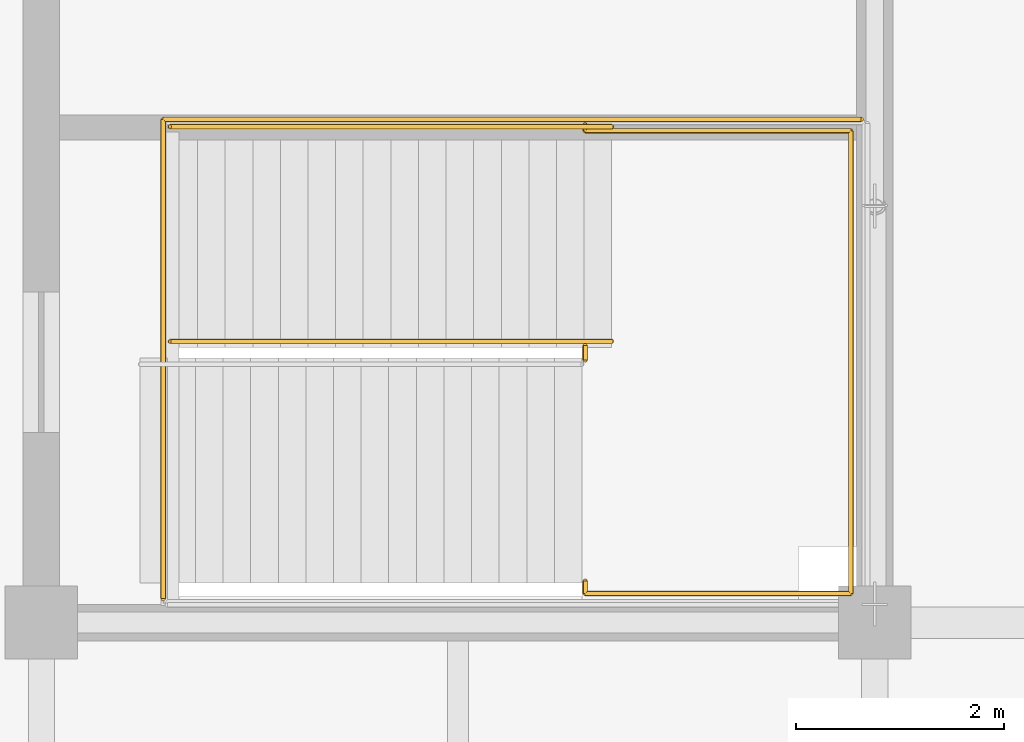
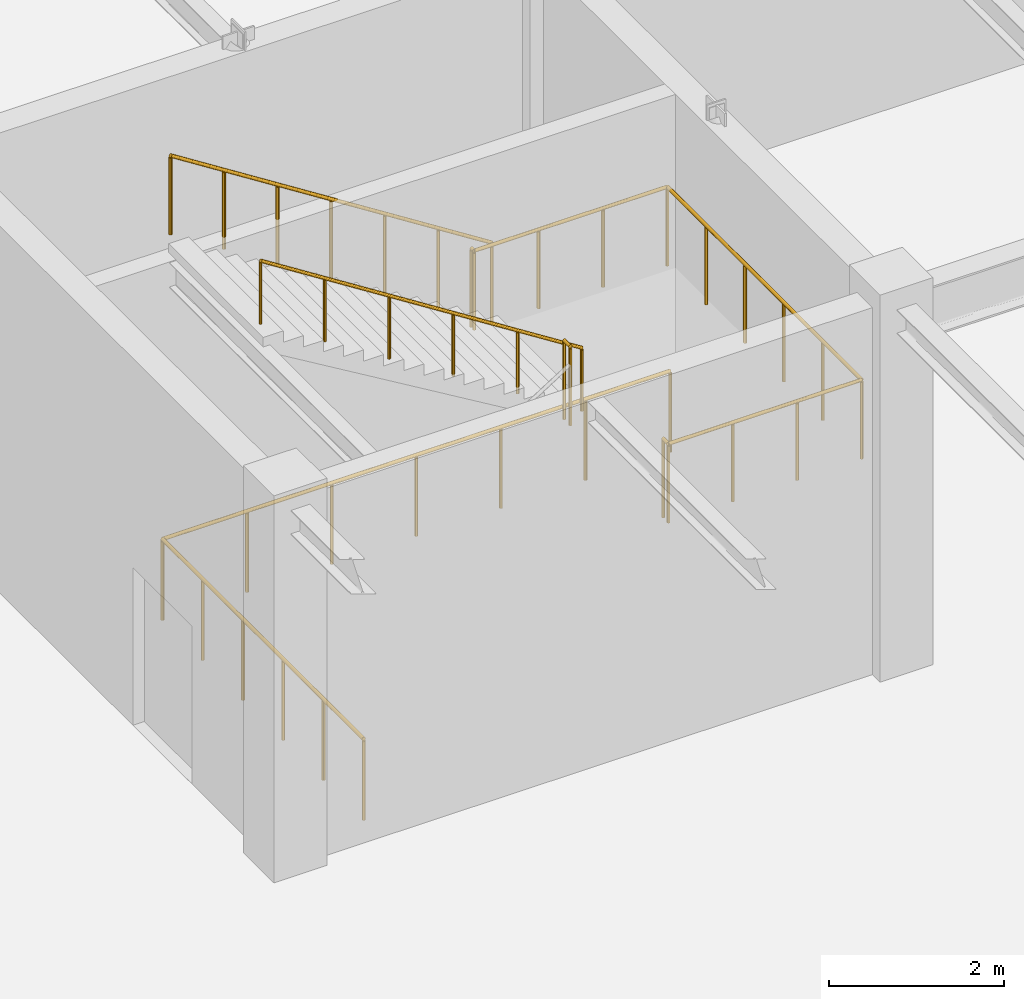
# One storey, part 108 of 108: 5 railings.
"""IFC4 building model written with IfcOpenShell, lengths in metres."""

from ifc_helpers import new_model, si_unit, direction, frame, origin, origin_2d, place, context, subcontext, project, spatial, circle, extrude, material, type_object, element, save


model = new_model("IFC4")

# Units and contexts
model_context = context("Model", 3, precision=1e-05, world=origin(), true_north=direction((0.0, 1.0)))
body_context = subcontext(model_context, "Body", "Model", "MODEL_VIEW")
ifc_project = project(units=[si_unit("LENGTHUNIT", "METRE"), si_unit("AREAUNIT", "SQUARE_METRE"), si_unit("VOLUMEUNIT", "CUBIC_METRE"), si_unit("PLANEANGLEUNIT", "RADIAN"), si_unit("MASSUNIT", "GRAM", prefix="KILO")], contexts=[model_context])

# Site, building, storey
site_placement = place(None, origin())
site = spatial("IfcSite", under=ifc_project, at=site_placement, CompositionType="ELEMENT")
building_placement = place(site_placement, origin())
building = spatial("IfcBuilding", under=site, at=building_placement, Name="Zhaolan Boulevard Law Courts", CompositionType="ELEMENT")
storey_placement = place(building_placement, frame((0.0, 0.0, 10.800048828125)))
storey = spatial("IfcBuildingStorey", under=building, at=storey_placement, Name="L02", CompositionType="ELEMENT", Elevation=10.800048828125)

# Railings
ifc_material_1 = material(Name="Powder-coated steel and tempered laminated glass", Category="steel")
railing_type_1 = type_object("IfcRailingType", Name="INTERIOR GUARDRAIL 1150", PredefinedType="GUARDRAIL", material=ifc_material_1)
railing_1_placement = place(storey_placement, frame((147.8701171875, 74.830078125, 0.0)))
element("IfcRailing", 1, at=railing_1_placement, inside=storey, type_object=railing_type_1, Name="Atrium Gallery Guardrail VG-2-V2-3B", PredefinedType="GUARDRAIL", context=body_context, shape_type="SweptSolid", body=[
    extrude(circle(Radius=0.02490234375, at=origin_2d()), frame((0.0, 0.0, 1.125), z_axis=(-1.0, 0.0, 0.0), x_axis=(0.0, -1.0, 0.0)), (0.0, 0.0, 1.0), 6.7001953125),
    extrude(circle(Radius=0.02490234375, at=origin_2d()), frame((-6.7001953125, 0.0, 1.125), z_axis=(0.0, -1.0, 0.0), x_axis=(1.0, 0.0, 0.0)), (0.0, 0.0, 1.0), 4.60009765625),
    extrude(circle(Radius=0.02099609375, at=origin_2d()), origin(), (0.0, 0.0, 1.0), 1.099853515625),
    extrude(circle(Radius=0.02099609375, at=origin_2d()), frame((-1.11669921875, 0.0, 0.0)), (0.0, 0.0, 1.0), 1.099853515625),
    extrude(circle(Radius=0.02099609375, at=origin_2d()), frame((-2.2333984375, 0.0, 0.0)), (0.0, 0.0, 1.0), 1.099853515625),
    extrude(circle(Radius=0.02099609375, at=origin_2d()), frame((-3.35009765625, 0.0, 0.0)), (0.0, 0.0, 1.0), 1.099853515625),
    extrude(circle(Radius=0.02099609375, at=origin_2d()), frame((-4.466796875, 0.0, 0.0)), (0.0, 0.0, 1.0), 1.099853515625),
    extrude(circle(Radius=0.02099609375, at=origin_2d()), frame((-5.58349609375, 0.0, 0.0)), (0.0, 0.0, 1.0), 1.099853515625),
    extrude(circle(Radius=0.02099609375, at=origin_2d()), frame((-6.7001953125, 0.0, 0.0)), (0.0, 0.0, 1.0), 1.099853515625),
    extrude(circle(Radius=0.02099609375, at=origin_2d()), frame((-6.7001953125, -0.919921875, 0.0)), (0.0, 0.0, 1.0), 1.099853515625),
    extrude(circle(Radius=0.02099609375, at=origin_2d()), frame((-6.7001953125, -1.840087890625, 0.0)), (0.0, 0.0, 1.0), 1.099853515625),
    extrude(circle(Radius=0.02099609375, at=origin_2d()), frame((-6.7001953125, -2.760009765625, 0.0)), (0.0, 0.0, 1.0), 1.099853515625),
    extrude(circle(Radius=0.02099609375, at=origin_2d()), frame((-6.7001953125, -3.68017578125, 0.0)), (0.0, 0.0, 1.0), 1.099853515625),
    extrude(circle(Radius=0.02099609375, at=origin_2d()), frame((-6.7001953125, -4.60009765625, 0.0)), (0.0, 0.0, 1.0), 1.099853515625),
])
ifc_material_2 = material(Name="Brushed stainless steel tubular handrail", Category="steel")
railing_type_2 = type_object("IfcRailingType", Name="STAIR HANDRAIL 900", PredefinedType="HANDRAIL", material=ifc_material_2)
railing_2_placement = place(storey_placement, frame((145.47509765625, 72.699951171875, 2.699951171875)))
element("IfcRailing", 2, at=railing_2_placement, inside=storey, type_object=railing_type_2, Name="Stair Handrail HR-ST09-L02-2", PredefinedType="HANDRAIL", context=body_context, shape_type="SweptSolid", body=[
    extrude(circle(Radius=0.0224609375, at=origin_2d()), frame((0.0, 0.0, 0.87744140625), z_axis=(-0.843501457581, 0.0, 0.537126885437), x_axis=(0.0, -1.0, 0.0)), (0.0, 0.0, 1.0), 5.026611328125),
    extrude(circle(Radius=0.01904296875, at=origin_2d()), origin(), (0.0, 0.0, 1.0), 0.85498046875),
    extrude(circle(Radius=0.01904296875, at=origin_2d()), frame((-0.847900390625, 0.0, 0.5400390625)), (0.0, 0.0, 1.0), 0.85498046875),
    extrude(circle(Radius=0.01904296875, at=origin_2d()), frame((-1.696044921875, 0.0, 1.080078125)), (0.0, 0.0, 1.0), 0.85498046875),
    extrude(circle(Radius=0.01904296875, at=origin_2d()), frame((-2.5439453125, 0.0, 1.619873046875)), (0.0, 0.0, 1.0), 0.85498046875),
    extrude(circle(Radius=0.01904296875, at=origin_2d()), frame((-3.39208984375, 0.0, 2.159912109375)), (0.0, 0.0, 1.0), 0.85498046875),
    extrude(circle(Radius=0.01904296875, at=origin_2d()), frame((-4.239990234375, 0.0, 2.699951171875)), (0.0, 0.0, 1.0), 0.85498046875),
])
ifc_material_3 = material(Name="Powder-coated steel baluster guardrail", Category="steel")
railing_type_3 = type_object("IfcRailingType", Name="STAIR WELL GUARDRAIL 1120", PredefinedType="GUARDRAIL", material=ifc_material_3)
railing_3_placement = place(storey_placement, frame((145.219970703125, 70.39990234375, 2.699951171875)))
element("IfcRailing", 3, at=railing_3_placement, inside=storey, type_object=railing_type_3, Name="Half-Landing Guardrail SG-ST09-L02-M", PredefinedType="GUARDRAIL", context=body_context, shape_type="SweptSolid", body=[
    extrude(circle(Radius=0.02392578125, at=origin_2d()), frame((0.0, 0.0, 1.09619140625), z_axis=(0.0, -1.0, 0.0), x_axis=(1.0, 0.0, 0.0)), (0.0, 0.0, 1.0), 0.119873046875),
    extrude(circle(Radius=0.02392578125, at=origin_2d()), frame((0.0, -0.119873046875, 1.09619140625), z_axis=(1.0, 0.0, 0.0), x_axis=(0.0, 1.0, 0.0)), (0.0, 0.0, 1.0), 2.550048828125),
    extrude(circle(Radius=0.02392578125, at=origin_2d()), frame((2.550048828125, -0.119873046875, 1.09619140625), z_axis=(0.0, 1.0, 0.0), x_axis=(-1.0, 0.0, 0.0)), (0.0, 0.0, 1.0), 4.43994140625),
    extrude(circle(Radius=0.02392578125, at=origin_2d()), frame((2.550048828125, 4.320068359375, 1.09619140625), z_axis=(-1.0, 0.0, 0.0), x_axis=(0.0, -1.0, 0.0)), (0.0, 0.0, 1.0), 2.550048828125),
    extrude(circle(Radius=0.02392578125, at=origin_2d()), frame((0.0, 4.320068359375, 1.09619140625), z_axis=(0.0, 1.0, 0.0), x_axis=(-1.0, 0.0, 0.0)), (0.0, 0.0, 1.0), 0.06005859375),
    extrude(circle(Radius=0.02099609375, at=origin_2d()), origin(), (0.0, 0.0, 1.0), 1.072021484375),
    extrude(circle(Radius=0.02099609375, at=origin_2d()), frame((0.0, -0.119873046875, 0.0)), (0.0, 0.0, 1.0), 1.072021484375),
    extrude(circle(Radius=0.02099609375, at=origin_2d()), frame((0.85009765625, -0.119873046875, 0.0)), (0.0, 0.0, 1.0), 1.072021484375),
    extrude(circle(Radius=0.02099609375, at=origin_2d()), frame((1.699951171875, -0.119873046875, 0.0)), (0.0, 0.0, 1.0), 1.072021484375),
    extrude(circle(Radius=0.02099609375, at=origin_2d()), frame((2.550048828125, -0.119873046875, 0.0)), (0.0, 0.0, 1.0), 1.072021484375),
    extrude(circle(Radius=0.02099609375, at=origin_2d()), frame((2.550048828125, 0.76806640625, 0.0)), (0.0, 0.0, 1.0), 1.072021484375),
    extrude(circle(Radius=0.02099609375, at=origin_2d()), frame((2.550048828125, 1.656005859375, 0.0)), (0.0, 0.0, 1.0), 1.072021484375),
    extrude(circle(Radius=0.02099609375, at=origin_2d()), frame((2.550048828125, 2.544189453125, 0.0)), (0.0, 0.0, 1.0), 1.072021484375),
    extrude(circle(Radius=0.02099609375, at=origin_2d()), frame((2.550048828125, 3.43212890625, 0.0)), (0.0, 0.0, 1.0), 1.072021484375),
    extrude(circle(Radius=0.02099609375, at=origin_2d()), frame((2.550048828125, 4.320068359375, 0.0)), (0.0, 0.0, 1.0), 1.072021484375),
    extrude(circle(Radius=0.02099609375, at=origin_2d()), frame((1.699951171875, 4.320068359375, 0.0)), (0.0, 0.0, 1.0), 1.072021484375),
    extrude(circle(Radius=0.02099609375, at=origin_2d()), frame((0.85009765625, 4.320068359375, 0.0)), (0.0, 0.0, 1.0), 1.072021484375),
    extrude(circle(Radius=0.02099609375, at=origin_2d()), frame((0.0, 4.320068359375, 0.0)), (0.0, 0.0, 1.0), 1.072021484375),
    extrude(circle(Radius=0.02099609375, at=origin_2d()), frame((0.0, 4.380126953125, 0.0)), (0.0, 0.0, 1.0), 1.072021484375),
])
railing_4_placement = place(storey_placement, frame((145.219970703125, 72.52001953125, 2.699951171875)))
element("IfcRailing", 4, at=railing_4_placement, inside=storey, type_object=railing_type_3, Name="Half-Landing Well Guardrail SG-ST09-L02-W", PredefinedType="GUARDRAIL", context=body_context, shape_type="SweptSolid", body=[
    extrude(circle(Radius=0.02392578125, at=origin_2d()), frame((0.0, 0.0, 1.09619140625), z_axis=(0.0, 1.0, 0.0), x_axis=(-1.0, 0.0, 0.0)), (0.0, 0.0, 1.0), 0.139892578125),
    extrude(circle(Radius=0.02099609375, at=origin_2d()), origin(), (0.0, 0.0, 1.0), 1.072021484375),
    extrude(circle(Radius=0.02099609375, at=origin_2d()), frame((0.0, 0.139892578125, 0.0)), (0.0, 0.0, 1.0), 1.072021484375),
])
railing_5_placement = place(storey_placement, frame((145.47509765625, 74.760009765625, 2.699951171875)))
element("IfcRailing", 5, at=railing_5_placement, inside=storey, type_object=railing_type_3, Name="Flight Guardrail SG-ST09-L02-F2", PredefinedType="GUARDRAIL", context=body_context, shape_type="SweptSolid", body=[
    extrude(circle(Radius=0.02392578125, at=origin_2d()), frame((0.0, 0.0, 1.09619140625), z_axis=(-0.843501457581, 0.0, 0.537126885437), x_axis=(0.0, -1.0, 0.0)), (0.0, 0.0, 1.0), 5.026611328125),
    extrude(circle(Radius=0.02099609375, at=origin_2d()), origin(), (0.0, 0.0, 1.0), 1.072021484375),
    extrude(circle(Radius=0.02099609375, at=origin_2d()), frame((-0.70654296875, 0.0, 0.449951171875)), (0.0, 0.0, 1.0), 1.072021484375),
    extrude(circle(Radius=0.02099609375, at=origin_2d()), frame((-1.413330078125, 0.0, 0.89990234375)), (0.0, 0.0, 1.0), 1.072021484375),
    extrude(circle(Radius=0.02099609375, at=origin_2d()), frame((-2.1201171875, 0.0, 1.35009765625)), (0.0, 0.0, 1.0), 1.072021484375),
    extrude(circle(Radius=0.02099609375, at=origin_2d()), frame((-2.82666015625, 0.0, 1.800048828125)), (0.0, 0.0, 1.0), 1.072021484375),
    extrude(circle(Radius=0.02099609375, at=origin_2d()), frame((-3.533203125, 0.0, 2.25)), (0.0, 0.0, 1.0), 1.072021484375),
    extrude(circle(Radius=0.02099609375, at=origin_2d()), frame((-4.239990234375, 0.0, 2.699951171875)), (0.0, 0.0, 1.0), 1.072021484375),
])

save(model, "model.ifc")
